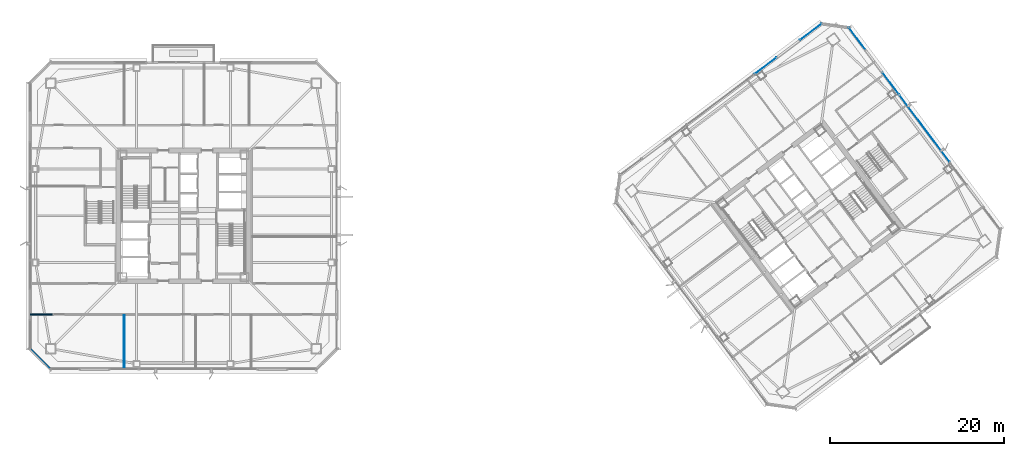
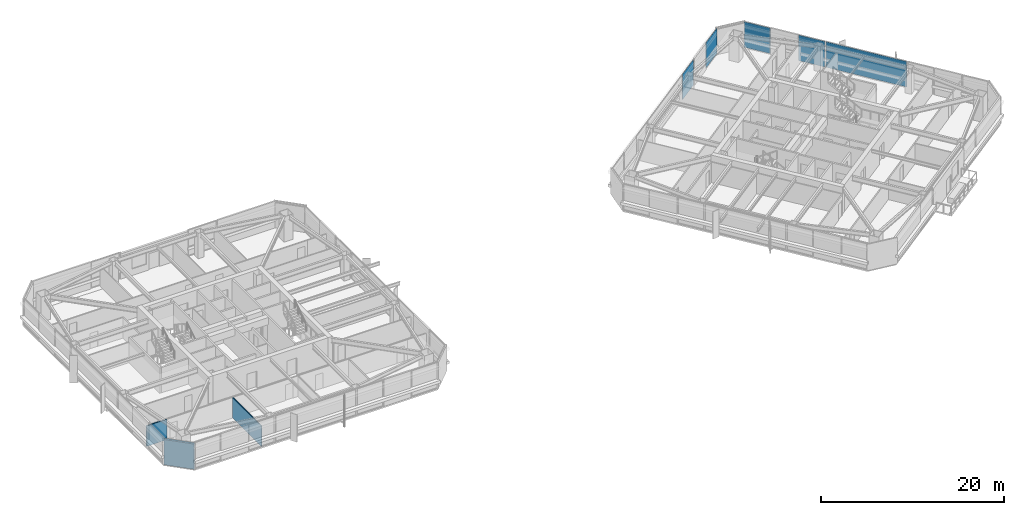
# One storey, part 35 of 46: 5 plates, 3 walls, 5 elements without a shape of their own.
"""IFC4 building model written with IfcOpenShell, lengths in metres."""

import ifcopenshell
import ifcopenshell.guid

model = None  # the IFC model being written
_history = None  # IfcOwnerHistory: only IFC2X3 demands one
_inside = {}  # id of a spatial element -> (the spatial element, [elements in it])
_under = {}  # id of a project, library or spatial element -> (it, [spatial elements below it])
_declared = {}  # id of a project -> (the project, [libraries it declares])
_typed = {}  # id of a type object -> (the type object, [elements of that type])
_made_of = {}  # id of a material, layer set ... -> (it, [elements and type objects made of it])


def new_model(schema):
    """Start an empty IFC model of exactly this schema.

    Asked for "IFC4X3", IfcOpenShell would pick the latest addendum, in which some entities
    have other attributes; the version numbers below select the first issue.
    IFC2X3 requires an IfcOwnerHistory on every rooted entity: one is made here for all.
    """
    global model, _history
    if schema == "IFC4X3":
        model = ifcopenshell.file(schema_version=(4, 3, 0, 0))
    else:
        model = ifcopenshell.file(schema=schema)
    _inside.clear()
    _under.clear()
    _declared.clear()
    _typed.clear()
    _made_of.clear()
    _history = None
    if model.schema == "IFC2X3":
        org = make("IfcOrganization", Name="unknown")
        user = make(
            "IfcPersonAndOrganization",
            ThePerson=make("IfcPerson", FamilyName="unknown"),
            TheOrganization=org,
        )
        app = make(
            "IfcApplication",
            ApplicationDeveloper=org,
            Version="unknown",
            ApplicationFullName="unknown",
            ApplicationIdentifier="unknown",
        )
        _history = make(
            "IfcOwnerHistory",
            OwningUser=user,
            OwningApplication=app,
            ChangeAction="ADDED",
            CreationDate=0,
        )
    return model


def make(cls, **values):
    """One entity of the class cls with the attributes given. An attribute that is None is left unset."""
    return model.create_entity(
        cls, **{name: value for name, value in values.items() if value is not None}
    )


def rooted(cls, **values):
    """An entity with a GlobalId (a new one), such as an element, a storey or a relation."""
    return make(cls, GlobalId=ifcopenshell.guid.new(), OwnerHistory=_history, **values)


def si_unit(unit_type, name, prefix=None):
    """IfcSIUnit, for example si_unit("LENGTHUNIT", "METRE", prefix="MILLI")."""
    return make("IfcSIUnit", UnitType=unit_type, Prefix=prefix, Name=name)


def assignment(units):
    """IfcUnitAssignment: the units of a project."""
    return None if units is None else make("IfcUnitAssignment", Units=units)


def point(xyz):
    """IfcCartesianPoint."""
    return None if xyz is None else make("IfcCartesianPoint", Coordinates=xyz)


def direction(xyz):
    """IfcDirection."""
    return None if xyz is None else make("IfcDirection", DirectionRatios=xyz)


def frame(location, z_axis=None, x_axis=None):
    """IfcAxis2Placement3D, a coordinate frame: its origin and axes. An axis left out is left unset."""
    return make(
        "IfcAxis2Placement3D",
        Location=point(location),
        Axis=direction(z_axis),
        RefDirection=direction(x_axis),
    )


def frame_2d(location, x_axis=None):
    """IfcAxis2Placement2D, a coordinate frame in the plane: its origin and x axis."""
    return make(
        "IfcAxis2Placement2D", Location=point(location), RefDirection=direction(x_axis)
    )


def origin():
    """The frame at (0, 0, 0) with its axes left unset."""
    return frame((0.0, 0.0, 0.0))


def origin_2d():
    """The frame at (0, 0) in the plane with its x axis left unset."""
    return frame_2d((0.0, 0.0))


def place(relative_to, where):
    """IfcLocalPlacement: puts the frame where relative to a parent placement (None: the world)."""
    return make(
        "IfcLocalPlacement", PlacementRelTo=relative_to, RelativePlacement=where
    )


def context(
    kind, dimensions, precision=None, world=None, true_north=None, identifier=None
):
    """IfcGeometricRepresentationContext, for example the 3D "Model" context."""
    return make(
        "IfcGeometricRepresentationContext",
        ContextIdentifier=identifier,
        ContextType=kind,
        CoordinateSpaceDimension=dimensions,
        Precision=precision,
        WorldCoordinateSystem=world,
        TrueNorth=true_north,
    )


def subcontext(parent, identifier, kind, view, scale=None):
    """IfcGeometricRepresentationSubContext, for example "Body" below "Model"."""
    return make(
        "IfcGeometricRepresentationSubContext",
        ContextIdentifier=identifier,
        ContextType=kind,
        ParentContext=parent,
        TargetScale=scale,
        TargetView=view,
    )


def project(units=None, contexts=None):
    """IfcProject with its units and contexts."""
    return rooted(
        "IfcProject",
        Name="project",
        RepresentationContexts=contexts,
        UnitsInContext=assignment(units),
    )


def spatial(cls, under=None, at=None, **own):
    """A site, building, storey or space (cls), placed at a placement, below another one or the project."""
    s = rooted(cls, ObjectPlacement=at, **own)
    if under is not None:
        _under.setdefault(under.id(), (under, []))[1].append(s)
    return s


def profile(cls, at=None, kind="AREA", **sizes):
    """A parametric profile (cls). Its sizes go by their IFC names, for example OverallWidth=200.0."""
    return make(cls, ProfileType=kind, Position=at, **sizes)


def rectangle(**sizes):
    """IfcRectangleProfileDef."""
    return profile("IfcRectangleProfileDef", **sizes)


def extrude(swept, where, along, depth):
    """IfcExtrudedAreaSolid: the profile swept, set in the frame where, extruded along a direction by depth."""
    return make(
        "IfcExtrudedAreaSolid",
        SweptArea=swept,
        Position=where,
        ExtrudedDirection=direction(along),
        Depth=depth,
    )


def shape(context_of_items, identifier, shape_type, items):
    """IfcShapeRepresentation: the items that make up one representation, for example the "Body"."""
    return make(
        "IfcShapeRepresentation",
        ContextOfItems=context_of_items,
        RepresentationIdentifier=identifier,
        RepresentationType=shape_type,
        Items=items,
    )


def material(Name=None, Category=None):
    """IfcMaterial."""
    return make("IfcMaterial", Name=Name, Category=Category)


def layer(
    of_material, thickness, ventilated=None, Name=None, Category=None, Priority=None
):
    """IfcMaterialLayer: one layer of a wall or slab, of a material (None: an air gap)."""
    return make(
        "IfcMaterialLayer",
        Material=of_material,
        LayerThickness=thickness,
        IsVentilated=ventilated,
        Name=Name,
        Category=Category,
        Priority=Priority,
    )


def layer_set(layers, Name=None):
    """IfcMaterialLayerSet."""
    return make("IfcMaterialLayerSet", MaterialLayers=layers, LayerSetName=Name)


def made_of(thing, what):
    """Note that an element or type object is made of a material, layer set ...; save() writes the relation."""
    if what is not None:
        _made_of.setdefault(what.id(), (what, []))[1].append(thing)
    return thing


def type_object(cls, material=None, **own):
    """A type object (cls), such as IfcWallType, which elements share."""
    return made_of(rooted(cls, **own), material)


def element(
    cls,
    number,
    at=None,
    inside=None,
    cuts=None,
    type_object=None,
    material=None,
    context=None,
    identifier="Body",
    shape_type=None,
    held_by="IfcProductDefinitionShape",
    body=None,
    shapes=None,
    **own,
):
    """One element of the class cls, such as IfcWall. Its Tag is "e" and its number.

    at: its placement. inside: the storey or other place that contains it. cuts: it is an
    opening in that element (IfcRelVoidsElement). A single representation is given by context,
    identifier, shape_type and body (its items); several are given by shapes. held_by: the class
    of the entity that holds the representations. save() writes the other relations.
    """
    e = rooted(cls, Tag="e%d" % number, ObjectPlacement=at, **own)
    if body is not None:
        shapes = [shape(context, identifier, shape_type, body)]
    if shapes is not None:
        e.Representation = make(held_by, Representations=shapes)
    if inside is not None:
        _inside.setdefault(inside.id(), (inside, []))[1].append(e)
    if cuts is not None:
        rooted(
            "IfcRelVoidsElement", RelatingBuildingElement=cuts, RelatedOpeningElement=e
        )
    if type_object is not None:
        _typed.setdefault(type_object.id(), (type_object, []))[1].append(e)
    return made_of(e, material)


def aggregate(whole, parts):
    """IfcRelAggregates: a whole, such as a stair, and the parts it consists of."""
    return rooted("IfcRelAggregates", RelatingObject=whole, RelatedObjects=parts)


def save(model, path):
    """Write the relations noted so far, then the file.

    IfcRelAggregates (storeys below a building ...), IfcRelContainedInSpatialStructure (elements
    in a storey), IfcRelDefinesByType, IfcRelAssociatesMaterial and IfcRelDeclares: one each for
    every whole, place, type object, material and project.
    """
    for whole, parts in _under.values():
        aggregate(whole, parts)
    for where, things in _inside.values():
        rooted(
            "IfcRelContainedInSpatialStructure",
            RelatedElements=things,
            RelatingStructure=where,
        )
    for kind, things in _typed.values():
        rooted("IfcRelDefinesByType", RelatedObjects=things, RelatingType=kind)
    for what, things in _made_of.values():
        rooted("IfcRelAssociatesMaterial", RelatedObjects=things, RelatingMaterial=what)
    for by, libraries in _declared.values():
        rooted("IfcRelDeclares", RelatingContext=by, RelatedDefinitions=libraries)
    model.write(path)


model = new_model("IFC4")

# Units and contexts
model_context = context("Model", 3, precision=1e-05, world=origin(), true_north=direction((0.0, 1.0)))
body_context = subcontext(model_context, "Body", "Model", "MODEL_VIEW")
ifc_project = project(units=[si_unit("LENGTHUNIT", "METRE"), si_unit("AREAUNIT", "SQUARE_METRE"), si_unit("VOLUMEUNIT", "CUBIC_METRE"), si_unit("PLANEANGLEUNIT", "RADIAN"), si_unit("MASSUNIT", "GRAM", prefix="KILO")], contexts=[model_context])

# Site, building, storey
site_placement = place(None, origin())
site = spatial("IfcSite", under=ifc_project, at=site_placement, CompositionType="ELEMENT")
building_placement = place(site_placement, origin())
building = spatial("IfcBuilding", under=site, at=building_placement, Name="Tashvorn Skyway Center", CompositionType="ELEMENT")
storey_placement = place(building_placement, frame((0.0, 0.0, 167.64990234375)))
storey = spatial("IfcBuildingStorey", under=building, at=storey_placement, Name="L45", CompositionType="ELEMENT", Elevation=167.64990234375)

# Curtain wall, plate
ifc_material_1 = material(Name="Thermally broken bronze-anodized aluminium 6063-T6", Category="aluminium")
curtain_wall_type = type_object("IfcCurtainWallType", Name="CW-CW-Z4", PredefinedType="NOTDEFINED", material=ifc_material_1)
curtain_wall_1_placement = place(storey_placement, origin())
curtain_wall_1 = element("IfcCurtainWall", 1, at=curtain_wall_1_placement, inside=storey, type_object=curtain_wall_type, Name="Tower 2 L45 North Unitised Curtain Wall Glazing Group 4", PredefinedType="NOTDEFINED")
ifc_material_2 = material(Name="Low-E solar-control double insulating safety glass", Category="glass")
ifc_layer_1 = layer(ifc_material_2, 0.035888671875)
ifc_layer_set_1 = layer_set([ifc_layer_1], Name="Low-E solar-control double insulating safety glass")
plate_type = type_object("IfcPlateType", Name="CWP-CW-Z4", PredefinedType="CURTAIN_PANEL", material=ifc_layer_set_1)
plate_1_placement = place(storey_placement, frame((109.115966796875, 49.31201171875, 0.0703125), z_axis=(0.0, 0.0, 1.0), x_axis=(0.799999999998, 0.600000000002, 0.0)))
plate_1 = element("IfcPlate", 2, at=plate_1_placement, type_object=plate_type, Name="CW-Z4 panel 1.1", PredefinedType="CURTAIN_PANEL", context=body_context, shape_type="SweptSolid", body=[
    extrude(rectangle(XDim=3.10009765625, YDim=0.035888671875, at=origin_2d()), origin(), (0.0, 0.0, 1.0), 3.409912109375),
])
aggregate(curtain_wall_1, [plate_1])

curtain_wall_2_placement = place(storey_placement, origin())
curtain_wall_2 = element("IfcCurtainWall", 3, at=curtain_wall_2_placement, inside=storey, type_object=curtain_wall_type, Name="Tower 2 L45 North Unitised Curtain Wall Glazing Group 5", PredefinedType="NOTDEFINED")
plate_2_placement = place(storey_placement, frame((114.300048828125, 53.199951171875, 0.0703125), z_axis=(0.0, 0.0, 1.0), x_axis=(0.799999999998, 0.600000000002, 0.0)))
plate_2 = element("IfcPlate", 4, at=plate_2_placement, type_object=plate_type, Name="CW-Z4 panel 1.1", PredefinedType="CURTAIN_PANEL", context=body_context, shape_type="SweptSolid", body=[
    extrude(rectangle(XDim=3.10009765625, YDim=0.035888671875, at=origin_2d()), origin(), (0.0, 0.0, 1.0), 3.409912109375),
])
aggregate(curtain_wall_2, [plate_2])

curtain_wall_3_placement = place(storey_placement, origin())
curtain_wall_3 = element("IfcCurtainWall", 5, at=curtain_wall_3_placement, inside=storey, type_object=curtain_wall_type, Name="Tower 2 L45 East Unitised Curtain Wall Glazing Group 1", PredefinedType="NOTDEFINED")
plate_3_placement = place(storey_placement, frame((119.64794921875, 52.43603515625, 0.0703125), z_axis=(0.0, 0.0, 1.0), x_axis=(0.600000000002, -0.799999999998, 0.0)))
plate_3 = element("IfcPlate", 6, at=plate_3_placement, type_object=plate_type, Name="CW-Z4 panel 1.1", PredefinedType="CURTAIN_PANEL", context=body_context, shape_type="SweptSolid", body=[
    extrude(rectangle(XDim=3.10009765625, YDim=0.035888671875, at=origin_2d()), origin(), (0.0, 0.0, 1.0), 3.409912109375),
])
aggregate(curtain_wall_3, [plate_3])

curtain_wall_4_placement = place(storey_placement, origin())
curtain_wall_4 = element("IfcCurtainWall", 7, at=curtain_wall_4_placement, inside=storey, type_object=curtain_wall_type, Name="Tower 2 L45 East Unitised Curtain Wall Glazing Group 2", PredefinedType="NOTDEFINED")
plate_4_placement = place(storey_placement, frame((123.535888671875, 47.251953125, 0.0703125), z_axis=(0.0, 0.0, 1.0), x_axis=(0.600000000002, -0.799999999998, 0.0)))
plate_4 = element("IfcPlate", 8, at=plate_4_placement, type_object=plate_type, Name="CW-Z4 panel 1.1", PredefinedType="CURTAIN_PANEL", context=body_context, shape_type="SweptSolid", body=[
    extrude(rectangle(XDim=3.10009765625, YDim=0.035888671875, at=origin_2d()), origin(), (0.0, 0.0, 1.0), 3.409912109375),
])
aggregate(curtain_wall_4, [plate_4])

curtain_wall_5_placement = place(storey_placement, origin())
curtain_wall_5 = element("IfcCurtainWall", 9, at=curtain_wall_5_placement, inside=storey, type_object=curtain_wall_type, Name="Tower 2 L45 East Unitised Curtain Wall Glazing Group 3", PredefinedType="NOTDEFINED")
plate_5_placement = place(storey_placement, frame((127.424072265625, 42.068115234375, 0.0703125), z_axis=(0.0, 0.0, 1.0), x_axis=(0.600000000002, -0.799999999998, 0.0)))
plate_5 = element("IfcPlate", 10, at=plate_5_placement, type_object=plate_type, Name="CW-Z4 panel 1.1", PredefinedType="CURTAIN_PANEL", context=body_context, shape_type="SweptSolid", body=[
    extrude(rectangle(XDim=9.580078125, YDim=0.035888671875, at=origin_2d()), origin(), (0.0, 0.0, 1.0), 3.409912109375),
])
aggregate(curtain_wall_5, [plate_5])

# Walls
ifc_material_3 = material(Name="Precast concrete C40/50", Category="concrete")
ifc_layer_2 = layer(ifc_material_3, 0.280029296875)
ifc_layer_set_2 = layer_set([ifc_layer_2], Name="Precast concrete C40/50")
wall_type_1 = type_object("IfcWallType", Name="WALL-EXT-280", PredefinedType="SOLIDWALL", material=ifc_layer_set_2)
wall_1_placement = place(storey_placement, frame((26.699951171875, 14.300048828125, 0.0), z_axis=(0.0, 0.0, 1.0), x_axis=(-0.707106781187, 0.707106781187, 0.0)))
element("IfcWall", 11, at=wall_1_placement, inside=storey, type_object=wall_type_1, Name="Tower 1 L45 SW Precast Chamfer Wall", PredefinedType="SOLIDWALL", context=body_context, shape_type="SweptSolid", body=[
    extrude(rectangle(XDim=3.39404296875, YDim=0.280029296875, at=frame_2d((1.697021484375, 0.0))), origin(), (0.0, 0.0, 1.0), 3.3701171875),
])
ifc_material_4 = material(Name="Gypsum board on cold-formed steel stud framing", Category="steel")
ifc_layer_3 = layer(ifc_material_4, 0.110107421875)
ifc_layer_set_3 = layer_set([ifc_layer_3], Name="Gypsum board on cold-formed steel stud framing")
wall_type_2 = type_object("IfcWallType", Name="WALL-PART-110", PredefinedType="PARTITIONING", material=ifc_layer_set_3)
wall_2_placement = place(storey_placement, frame((35.199951171875, 14.320068359375, 0.0), z_axis=(0.0, 0.0, 1.0), x_axis=(0.0, 1.0, 0.0)))
element("IfcWall", 12, at=wall_2_placement, inside=storey, type_object=wall_type_2, Name="Tower 1 L45 South Suite Partition 1", PredefinedType="PARTITIONING", context=body_context, shape_type="SweptSolid", body=[
    extrude(rectangle(XDim=6.22998046875, YDim=0.110107421875, at=frame_2d((3.114990234375, 0.0))), origin(), (0.0, 0.0, 1.0), 2.72314453125),
])
ifc_layer_4 = layer(ifc_material_4, 0.135009765625)
ifc_layer_set_4 = layer_set([ifc_layer_4], Name="Gypsum board on cold-formed steel stud framing")
wall_type_3 = type_object("IfcWallType", Name="WALL-PART-135", PredefinedType="PARTITIONING", material=ifc_layer_set_4)
wall_3_placement = place(storey_placement, frame((24.320068359375, 20.6298828125, 0.0), z_axis=(0.0, 0.0, 1.0), x_axis=(1.0, 0.0, 0.0)))
element("IfcWall", 13, at=wall_3_placement, inside=storey, type_object=wall_type_3, Name="Tower 1 L45 South-West Suite North Wall", PredefinedType="PARTITIONING", context=body_context, shape_type="SweptSolid", body=[
    extrude(rectangle(XDim=2.530029296875, YDim=0.135009765625, at=frame_2d((1.26513671875, 0.0))), origin(), (0.0, 0.0, 1.0), 2.72314453125),
])

save(model, "model.ifc")
